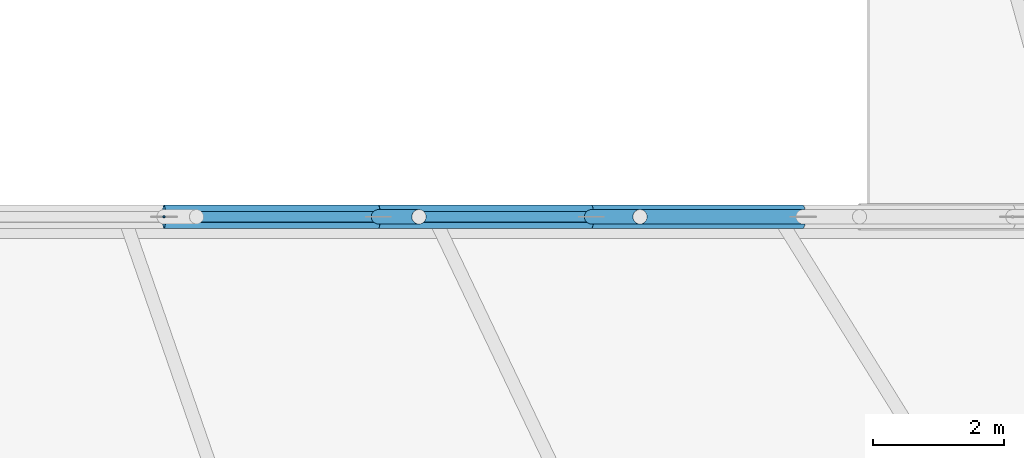
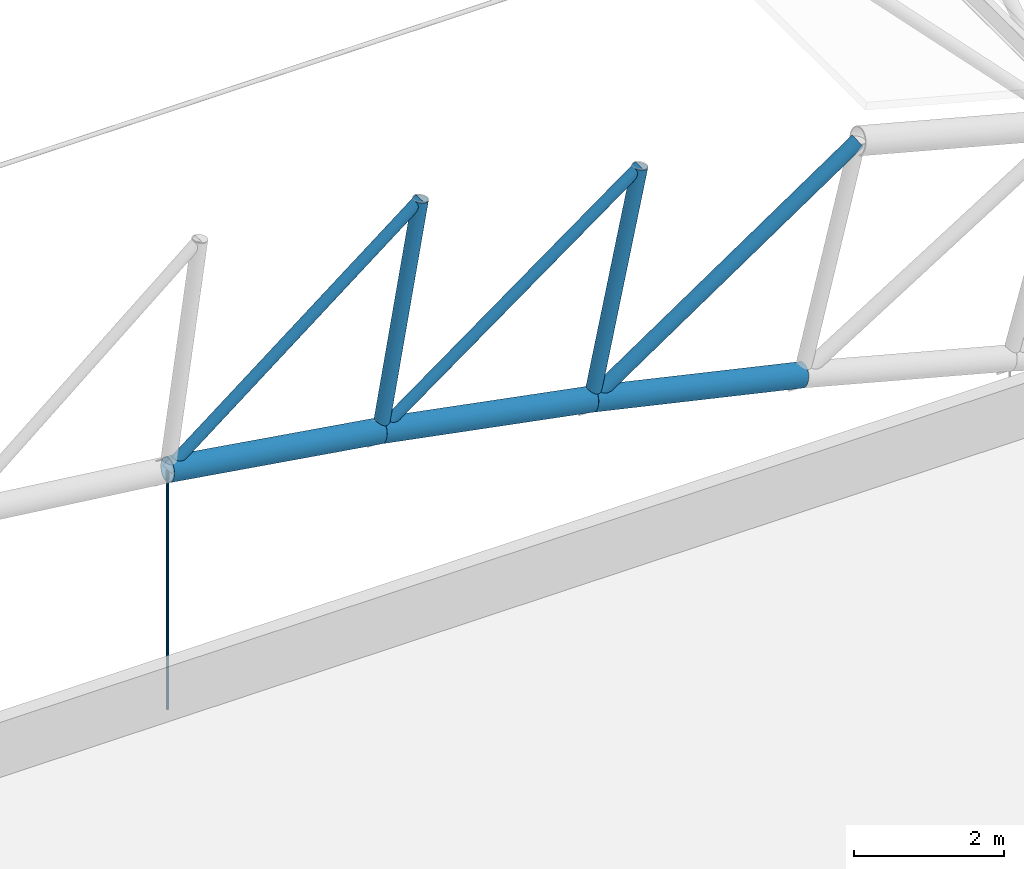
# One storey, part 40 of 321: 9 members.
"""IFC4 building model written with IfcOpenShell, lengths in metres."""

from ifc_helpers import new_model, si_unit, direction, frame, origin, origin_2d, place, context, subcontext, project, spatial, circle, hollow_circle, extrude, material, material_profile, profile_set, type_object, element, save


model = new_model("IFC4")

# Units and contexts
model_context = context("Model", 3, precision=1e-05, world=origin(), true_north=direction((0.0, 1.0)))
body_context = subcontext(model_context, "Body", "Model", "MODEL_VIEW")
ifc_project = project(units=[si_unit("LENGTHUNIT", "METRE"), si_unit("AREAUNIT", "SQUARE_METRE"), si_unit("VOLUMEUNIT", "CUBIC_METRE"), si_unit("PLANEANGLEUNIT", "RADIAN"), si_unit("MASSUNIT", "GRAM", prefix="KILO")], contexts=[model_context])

# Site, building, storey
site_placement = place(None, origin())
site = spatial("IfcSite", under=ifc_project, at=site_placement, CompositionType="ELEMENT")
building_placement = place(site_placement, origin())
building = spatial("IfcBuilding", under=site, at=building_placement, Name="Ravi Spectrum Wholesale Market", CompositionType="ELEMENT")
storey_placement = place(building_placement, frame((0.0, 0.0, 10.800048828125)))
storey = spatial("IfcBuildingStorey", under=building, at=storey_placement, Name="L02", CompositionType="ELEMENT", Elevation=10.800048828125)

# Members
ifc_material_1 = material(Name="Steel S355", Category="steel")
ifc_material_profile_1 = material_profile(ifc_material_1, hollow_circle(Radius=0.084228515625, WallThickness=0.00634765625, at=origin_2d()))
ifc_profile_set_1 = profile_set([ifc_material_profile_1], Name="Steel S355")
member_type_1 = type_object("IfcMemberType", Name="CHS 168.3x6.3 brace", PredefinedType="BRACE", material=ifc_profile_set_1)
for number, where, z_axis, x_axis, name in (
    (1, (87.0673828125, 30.0, 6.92431640625), (-0.787944778548, 0.0, -0.615745910225), (0.0, -1.0, 0.0), "H1-MB-L02-087"),
    (2, (90.436279296875, 30.0, 6.27734375), (-0.808703958366, 0.0, -0.588215868303), (0.0, -1.0, 0.0), "H1-MB-L02-088"),
):
    element("IfcMember", number, at=place(storey_placement, frame(where, z_axis=z_axis, x_axis=x_axis)), inside=storey, type_object=member_type_1, Name=name, PredefinedType="BRACE", context=body_context, shape_type="SweptSolid", body=[
        extrude(hollow_circle(Radius=0.084228515625, WallThickness=0.00634765625, at=origin_2d()), origin(), (0.0, 0.0, 1.0), 4.9296875),
    ])
ifc_material_2 = material(Name="Steel S355", Category="steel")
ifc_material_profile_2 = material_profile(ifc_material_2, hollow_circle(Radius=0.109619140625, WallThickness=0.008056640625, at=origin_2d()))
ifc_profile_set_2 = profile_set([ifc_material_profile_2], Name="Steel S355")
member_type_2 = type_object("IfcMemberType", Name="CHS 219.1x8 brace", PredefinedType="BRACE", material=ifc_profile_set_2)
member_1_placement = place(storey_placement, frame((93.78076171875, 30.0, 5.514404296875), z_axis=(-0.828544259915, 0.0, -0.559923574573), x_axis=(0.0, -1.0, 0.0)))
element("IfcMember", 3, at=member_1_placement, inside=storey, type_object=member_type_2, Name="H1-MB-L02-089", PredefinedType="BRACE", context=body_context, shape_type="SweptSolid", body=[
    extrude(hollow_circle(Radius=0.109619140625, WallThickness=0.008056640625, at=origin_2d()), origin(), (0.0, 0.0, 1.0), 4.9296875),
])
ifc_material_3 = material(Name="Steel S355", Category="steel")
ifc_material_profile_3 = material_profile(ifc_material_3, hollow_circle(Radius=0.109619140625, WallThickness=0.008056640625, at=origin_2d()))
ifc_profile_set_3 = profile_set([ifc_material_profile_3], Name="Steel S355")
member_type_3 = type_object("IfcMemberType", Name="CHS 219.1x8 post", PredefinedType="POST", material=ifc_profile_set_3)
for number, where, z_axis, x_axis, name in (
    (4, (87.0673828125, 30.0, 6.92431640625), (-0.171575852457, 0.0, -0.985170912509), (0.0, -1.0, 0.0), "H1-MB-L02-065"),
    (5, (90.436279296875, 30.0, 6.27734375), (-0.205549060287, 0.0, -0.978646812602), (0.0, -1.0, 0.0), "H1-MB-L02-066"),
):
    element("IfcMember", number, at=place(storey_placement, frame(where, z_axis=z_axis, x_axis=x_axis)), inside=storey, type_object=member_type_3, Name=name, PredefinedType="POST", context=body_context, shape_type="SweptSolid", body=[
        extrude(hollow_circle(Radius=0.109619140625, WallThickness=0.008056640625, at=origin_2d()), origin(), (0.0, 0.0, 1.0), 3.60009765625),
    ])
ifc_material_4 = material(Name="Steel S355", Category="steel")
ifc_material_profile_4 = material_profile(ifc_material_4, hollow_circle(Radius=0.177734375, WallThickness=0.012451171875, at=origin_2d()))
ifc_profile_set_4 = profile_set([ifc_material_profile_4], Name="Steel S355")
member_type_4 = type_object("IfcMemberType", Name="CHS 355.6x12.5 chord", PredefinedType="CHORD", material=ifc_profile_set_4)
member_2_placement = place(storey_placement, frame((83.18310546875, 30.0, 3.888916015625), z_axis=(0.987973992944, 0.0, -0.154620145084), x_axis=(0.0, 1.0, 0.0)))
element("IfcMember", 6, at=member_2_placement, inside=storey, type_object=member_type_4, Name="H1-MB-L02-041", PredefinedType="CHORD", context=body_context, shape_type="SweptSolid", body=[
    extrude(hollow_circle(Radius=0.177734375, WallThickness=0.012451171875, at=origin_2d()), origin(), (0.0, 0.0, 1.0), 3.306396484375),
])
member_3_placement = place(storey_placement, frame((86.44970703125, 30.0, 3.377685546875), z_axis=(0.982051718756, 0.0, -0.188611828072), x_axis=(0.0, 1.0, 0.0)))
element("IfcMember", 7, at=member_3_placement, inside=storey, type_object=member_type_4, Name="H1-MB-L02-042", PredefinedType="CHORD", context=body_context, shape_type="SweptSolid", body=[
    extrude(hollow_circle(Radius=0.177734375, WallThickness=0.012451171875, at=origin_2d()), origin(), (0.0, 0.0, 1.0), 3.305908203125),
])
member_4_placement = place(storey_placement, frame((89.6962890625, 30.0, 2.754150390625), z_axis=(0.974967923727, 0.0, -0.222345559217), x_axis=(0.0, 1.0, 0.0)))
element("IfcMember", 8, at=member_4_placement, inside=storey, type_object=member_type_4, Name="H1-MB-L02-043", PredefinedType="CHORD", context=body_context, shape_type="SweptSolid", body=[
    extrude(hollow_circle(Radius=0.177734375, WallThickness=0.012451171875, at=origin_2d()), origin(), (0.0, 0.0, 1.0), 3.30615234375),
])
ifc_material_5 = material(Name="Steel S355", Category="steel")
ifc_material_profile_5 = material_profile(ifc_material_5, circle(Radius=0.01806640625, at=origin_2d()))
ifc_profile_set_5 = profile_set([ifc_material_profile_5], Name="Steel S355")
member_type_5 = type_object("IfcMemberType", Name="ROD 36 hanger", PredefinedType="STRUT", material=ifc_profile_set_5)
member_5_placement = place(storey_placement, frame((83.18310546875, 30.0, 0.0), z_axis=(0.0, 0.0, 1.0), x_axis=(1.0, 0.0, 0.0)))
element("IfcMember", 9, at=member_5_placement, inside=storey, type_object=member_type_5, Name="H1-MB-L02-098", PredefinedType="STRUT", context=body_context, shape_type="SweptSolid", body=[
    extrude(circle(Radius=0.01806640625, at=origin_2d()), origin(), (0.0, 0.0, 1.0), 3.888916015625),
])

save(model, "model.ifc")
